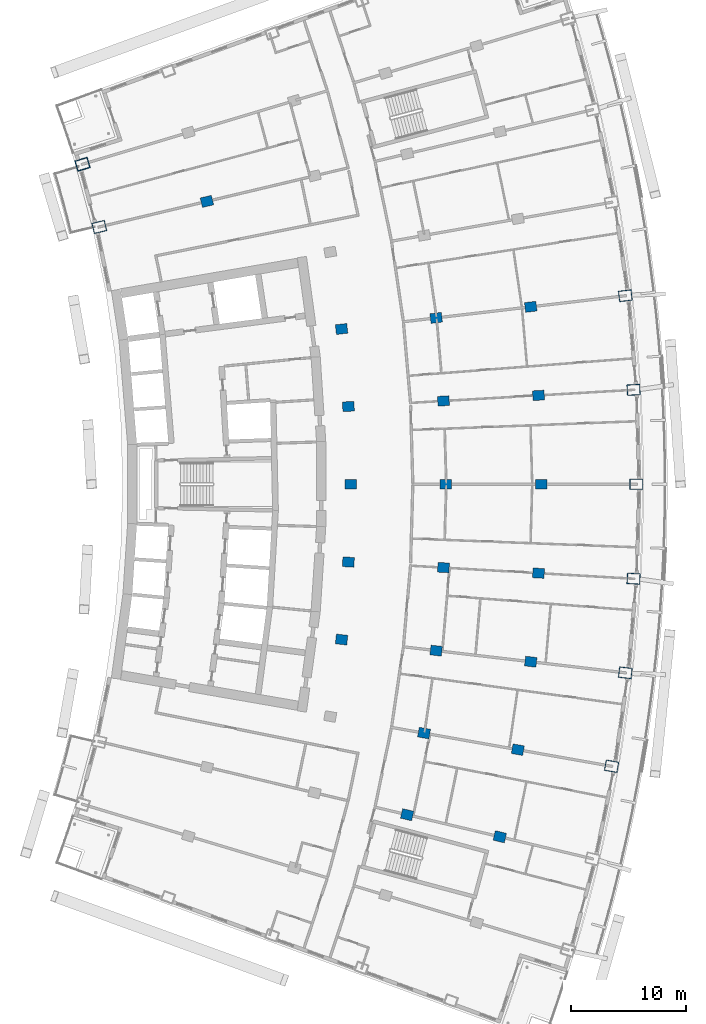
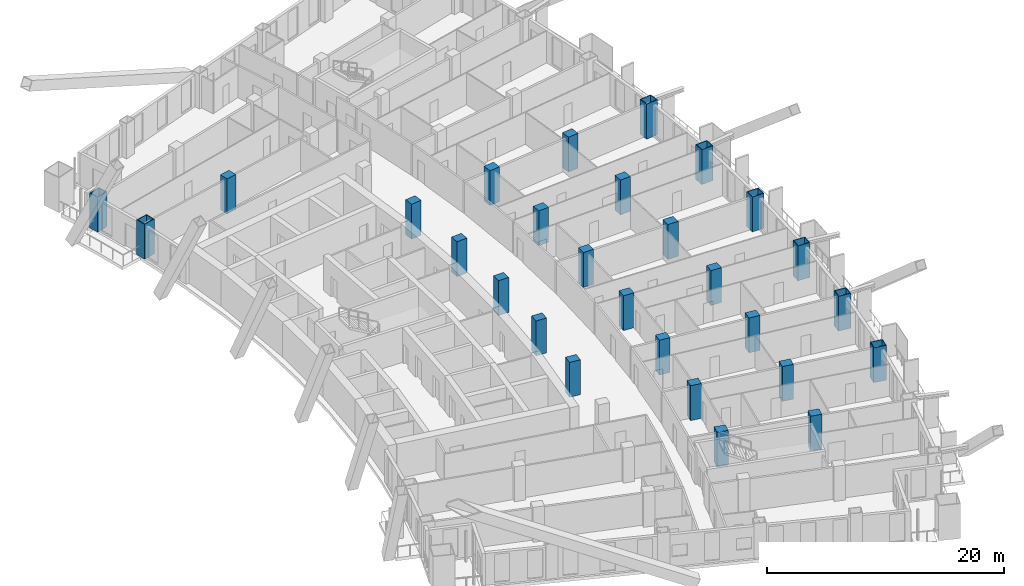
# One storey, part 6 of 25: 28 columns.
"""IFC4 building model written with IfcOpenShell, lengths in metres."""

from ifc_helpers import new_model, si_unit, direction, frame, origin, origin_2d, place, context, subcontext, project, spatial, rectangle, hollow_rectangle, extrude, material, material_profile, profile_set, type_object, element, save


model = new_model("IFC4")

# Units and contexts
model_context = context("Model", 3, precision=1e-05, world=origin(), true_north=direction((0.0, 1.0)))
body_context = subcontext(model_context, "Body", "Model", "MODEL_VIEW")
ifc_project = project(units=[si_unit("LENGTHUNIT", "METRE"), si_unit("AREAUNIT", "SQUARE_METRE"), si_unit("VOLUMEUNIT", "CUBIC_METRE"), si_unit("PLANEANGLEUNIT", "RADIAN"), si_unit("MASSUNIT", "GRAM", prefix="KILO")], contexts=[model_context])

# Site, building, storey
site_placement = place(None, origin())
site = spatial("IfcSite", under=ifc_project, at=site_placement, CompositionType="ELEMENT")
building_placement = place(site_placement, origin())
building = spatial("IfcBuilding", under=site, at=building_placement, Name="Alderwake Tower", CompositionType="ELEMENT")
storey_placement = place(building_placement, frame((0.0, 0.0, 114.800048828125)))
storey = spatial("IfcBuildingStorey", under=building, at=storey_placement, Name="L28", CompositionType="ELEMENT", Elevation=114.800048828125)

# Columns
ifc_material_1 = material(Name="Concrete C70/85", Category="concrete")
ifc_material_profile_1 = material_profile(ifc_material_1, rectangle(XDim=0.85009765625, YDim=1.0, at=origin_2d()), Name="RC 1000X850")
ifc_profile_set_1 = profile_set([ifc_material_profile_1], Name="Concrete C70/85")
column_type_1 = type_object("IfcColumnType", Name="Interior column Z2", PredefinedType="COLUMN", material=ifc_profile_set_1)
for number, where, z_axis, x_axis, name in (
    (1, (40.70458984375, 32.31298828125, 0.0), (0.0, 0.0, 1.0), (0.231221547198, 0.972901123502, 0.0), "Column R03-C3"),
    (2, (48.747314453125, 30.401611328125, 0.0), (0.0, 0.0, 1.0), (0.231221547198, 0.972901123502, 0.0), "Column R03-C4"),
    (3, (42.171875, 39.39892578125, 0.0), (0.0, 0.0, 1.0), (0.174107082075, 0.984726725529, 0.0), "Column R04-C3"),
    (4, (50.31201171875, 37.959716796875, 0.0), (0.0, 0.0, 1.0), (0.174108800747, 0.984726421654, 0.0), "Column R04-C4"),
    (5, (35.0126953125, 47.5205078125, 0.0), (0.0, 0.0, 1.0), (0.116402054316, 0.993202175668, 0.0), "Column R05-C2"),
    (6, (43.223388671875, 46.558349609375, 0.0), (0.0, 0.0, 1.0), (0.116402054316, 0.993202175668, 0.0), "Column R05-C3"),
    (7, (51.43359375, 45.59619140625, 0.0), (0.0, 0.0, 1.0), (0.116402054316, 0.993202175668, 0.0), "Column R05-C4"),
    (8, (35.60302734375, 54.248779296875, 0.0), (0.0, 0.0, 1.0), (0.058301061284, 0.998299046505, 0.0), "Column R06-C2"),
    (9, (43.855712890625, 53.766845703125, 0.0), (0.0, 0.0, 1.0), (0.058299318924, 0.998299148258, 0.0), "Column R06-C3"),
    (10, (52.108154296875, 53.284912109375, 0.0), (0.0, 0.0, 1.0), (0.058301061284, 0.998299046505, 0.0), "Column R06-C4"),
    (11, (35.800048828125, 61.0, 0.0), (0.0, 0.0, 1.0), (0.0, 1.0, 0.0), "Column R07-C2"),
    (12, (44.066650390625, 61.0, 0.0), (0.0, 0.0, 1.0), (0.0, 1.0, 0.0), "Column R07-C3"),
    (13, (52.333251953125, 61.0, 0.0), (0.0, 0.0, 1.0), (0.0, 1.0, 0.0), "Column R07-C4"),
    (14, (35.60302734375, 67.751220703125, 0.0), (0.0, 0.0, 1.0), (-0.058301061284, 0.998299046505, 0.0), "Column R08-C2"),
    (15, (43.855712890625, 68.233154296875, 0.0), (0.0, 0.0, 1.0), (-0.058299318924, 0.998299148258, 0.0), "Column R08-C3"),
    (16, (52.108154296875, 68.715087890625, 0.0), (0.0, 0.0, 1.0), (-0.058301061284, 0.998299046505, 0.0), "Column R08-C4"),
    (17, (35.0126953125, 74.4794921875, 0.0), (0.0, 0.0, 1.0), (-0.116402054316, 0.993202175668, 0.0), "Column R09-C2"),
    (18, (43.223388671875, 75.441650390625, 0.0), (0.0, 0.0, 1.0), (-0.116402054316, 0.993202175668, 0.0), "Column R09-C3"),
    (19, (51.43359375, 76.40380859375, 0.0), (0.0, 0.0, 1.0), (-0.116402054316, 0.993202175668, 0.0), "Column R09-C4"),
    (20, (23.322021484375, 85.555908203125, 0.0), (0.0, 0.0, 1.0), (-0.231221547198, 0.972901123502, 0.0), "Column R11-C1"),
):
    element("IfcColumn", number, at=place(storey_placement, frame(where, z_axis=z_axis, x_axis=x_axis)), inside=storey, type_object=column_type_1, Name=name, PredefinedType="COLUMN", context=body_context, shape_type="SweptSolid", body=[
        extrude(rectangle(XDim=0.85009765625, YDim=1.0, at=origin_2d()), origin(), (0.0, 0.0, 1.0), 3.599853515625),
    ])
ifc_material_2 = material(Name="Steel ASTM A572 Grade 50 concrete filled C70/85", Category="concrete")
ifc_material_profile_2 = material_profile(ifc_material_2, hollow_rectangle(XDim=0.949951171875, YDim=1.14990234375, WallThickness=0.06005859375, at=origin_2d()), Name="BOX 1150X950X60")
ifc_profile_set_2 = profile_set([ifc_material_profile_2], Name="Steel ASTM A572 Grade 50 concrete filled C70/85")
column_type_2 = type_object("IfcColumnType", Name="Perimeter column Z2", PredefinedType="COLUMN", material=ifc_profile_set_2)
for number, where, z_axis, x_axis, name in (
    (21, (58.45263671875, 36.5205078125, 0.0), (0.0, 0.0, 1.0), (0.174108800747, 0.984726421654, 0.0), "Column R04-C5"),
    (22, (59.644287109375, 44.6337890625, 0.0), (0.0, 0.0, 1.0), (0.116402054316, 0.993202175668, 0.0), "Column R05-C5"),
    (23, (60.36083984375, 52.802978515625, 0.0), (0.0, 0.0, 1.0), (0.058299318924, 0.998299148258, 0.0), "Column R06-C5"),
    (24, (60.60009765625, 61.0, 0.0), (0.0, 0.0, 1.0), (0.0, 1.0, 0.0), "Column R07-C5"),
    (25, (60.36083984375, 69.197021484375, 0.0), (0.0, 0.0, 1.0), (-0.058299318924, 0.998299148258, 0.0), "Column R08-C5"),
    (26, (59.644287109375, 77.3662109375, 0.0), (0.0, 0.0, 1.0), (-0.116402054316, 0.993202175668, 0.0), "Column R09-C5"),
    (27, (13.982177734375, 83.3359375, 0.0), (0.0, 0.0, 1.0), (-0.231221547198, 0.972901123502, 0.0), "Column R11-C0"),
    (28, (12.520263671875, 88.777099609375, 0.0), (0.0, 0.0, 1.0), (-0.287549418125, 0.957765802342, 0.0), "Column R12-C0"),
):
    element("IfcColumn", number, at=place(storey_placement, frame(where, z_axis=z_axis, x_axis=x_axis)), inside=storey, type_object=column_type_2, Name=name, PredefinedType="COLUMN", context=body_context, shape_type="SweptSolid", body=[
        extrude(hollow_rectangle(XDim=0.949951171875, YDim=1.14990234375, WallThickness=0.06005859375, at=origin_2d()), origin(), (0.0, 0.0, 1.0), 3.599853515625),
    ])

save(model, "model.ifc")
